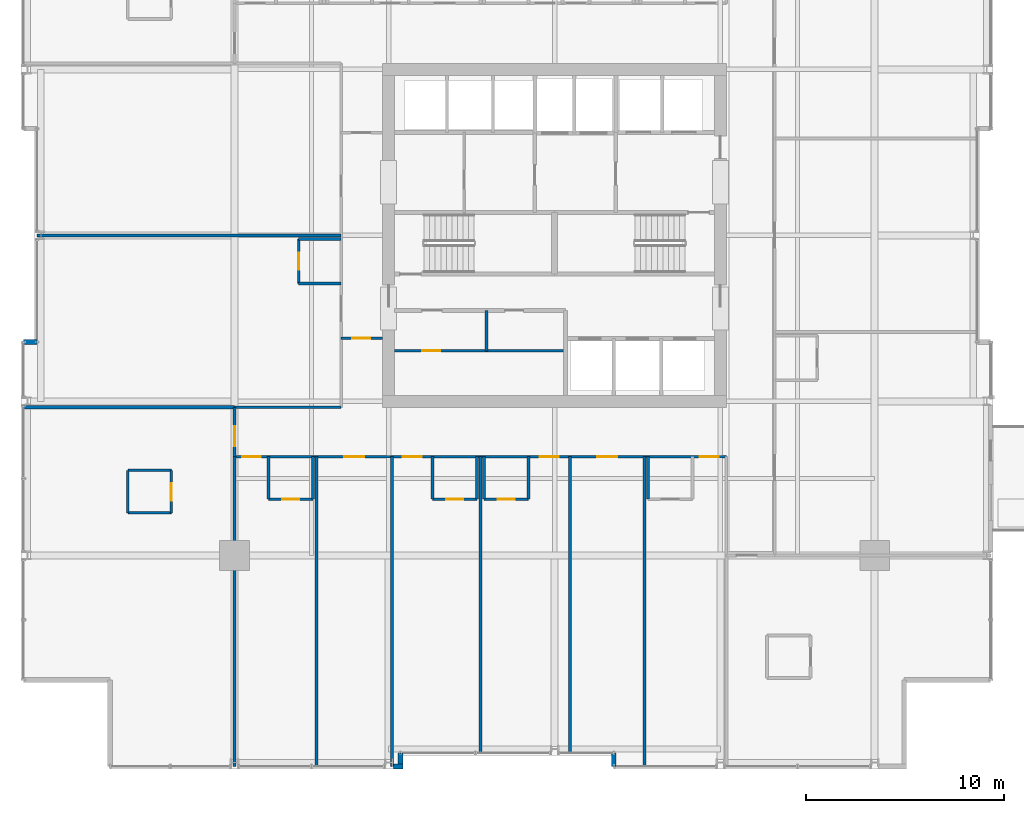
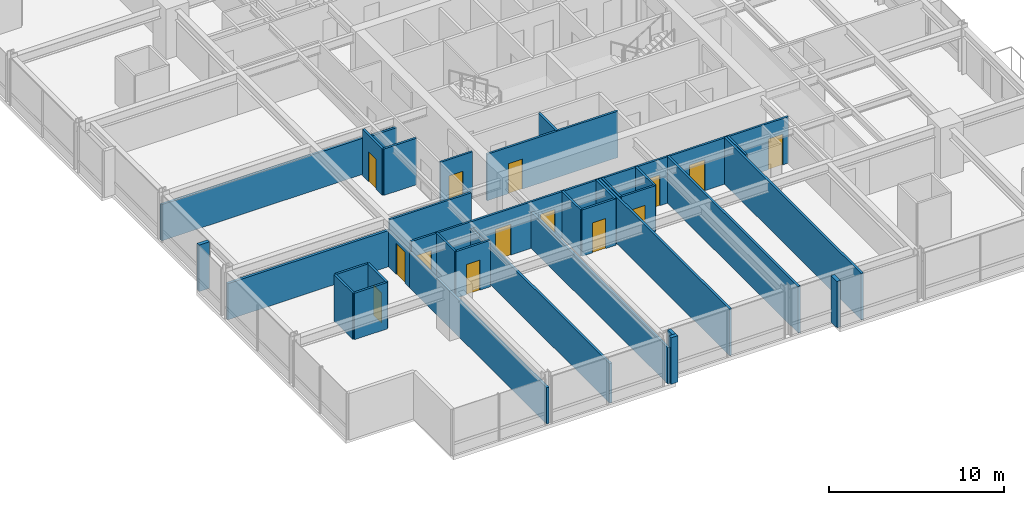
# One storey, part 28 of 34: 35 walls, 14 doors, 14 openings.
"""IFC4 building model written with IfcOpenShell, lengths in metres."""

import ifcopenshell
import ifcopenshell.guid

model = None  # the IFC model being written
_history = None  # IfcOwnerHistory: only IFC2X3 demands one
_inside = {}  # id of a spatial element -> (the spatial element, [elements in it])
_under = {}  # id of a project, library or spatial element -> (it, [spatial elements below it])
_declared = {}  # id of a project -> (the project, [libraries it declares])
_typed = {}  # id of a type object -> (the type object, [elements of that type])
_made_of = {}  # id of a material, layer set ... -> (it, [elements and type objects made of it])


def new_model(schema):
    """Start an empty IFC model of exactly this schema.

    Asked for "IFC4X3", IfcOpenShell would pick the latest addendum, in which some entities
    have other attributes; the version numbers below select the first issue.
    IFC2X3 requires an IfcOwnerHistory on every rooted entity: one is made here for all.
    """
    global model, _history
    if schema == "IFC4X3":
        model = ifcopenshell.file(schema_version=(4, 3, 0, 0))
    else:
        model = ifcopenshell.file(schema=schema)
    _inside.clear()
    _under.clear()
    _declared.clear()
    _typed.clear()
    _made_of.clear()
    _history = None
    if model.schema == "IFC2X3":
        org = make("IfcOrganization", Name="unknown")
        user = make(
            "IfcPersonAndOrganization",
            ThePerson=make("IfcPerson", FamilyName="unknown"),
            TheOrganization=org,
        )
        app = make(
            "IfcApplication",
            ApplicationDeveloper=org,
            Version="unknown",
            ApplicationFullName="unknown",
            ApplicationIdentifier="unknown",
        )
        _history = make(
            "IfcOwnerHistory",
            OwningUser=user,
            OwningApplication=app,
            ChangeAction="ADDED",
            CreationDate=0,
        )
    return model


def make(cls, **values):
    """One entity of the class cls with the attributes given. An attribute that is None is left unset."""
    return model.create_entity(
        cls, **{name: value for name, value in values.items() if value is not None}
    )


def rooted(cls, **values):
    """An entity with a GlobalId (a new one), such as an element, a storey or a relation."""
    return make(cls, GlobalId=ifcopenshell.guid.new(), OwnerHistory=_history, **values)


def si_unit(unit_type, name, prefix=None):
    """IfcSIUnit, for example si_unit("LENGTHUNIT", "METRE", prefix="MILLI")."""
    return make("IfcSIUnit", UnitType=unit_type, Prefix=prefix, Name=name)


def assignment(units):
    """IfcUnitAssignment: the units of a project."""
    return None if units is None else make("IfcUnitAssignment", Units=units)


def point(xyz):
    """IfcCartesianPoint."""
    return None if xyz is None else make("IfcCartesianPoint", Coordinates=xyz)


def direction(xyz):
    """IfcDirection."""
    return None if xyz is None else make("IfcDirection", DirectionRatios=xyz)


def frame(location, z_axis=None, x_axis=None):
    """IfcAxis2Placement3D, a coordinate frame: its origin and axes. An axis left out is left unset."""
    return make(
        "IfcAxis2Placement3D",
        Location=point(location),
        Axis=direction(z_axis),
        RefDirection=direction(x_axis),
    )


def frame_2d(location, x_axis=None):
    """IfcAxis2Placement2D, a coordinate frame in the plane: its origin and x axis."""
    return make(
        "IfcAxis2Placement2D", Location=point(location), RefDirection=direction(x_axis)
    )


def origin():
    """The frame at (0, 0, 0) with its axes left unset."""
    return frame((0.0, 0.0, 0.0))


def place(relative_to, where):
    """IfcLocalPlacement: puts the frame where relative to a parent placement (None: the world)."""
    return make(
        "IfcLocalPlacement", PlacementRelTo=relative_to, RelativePlacement=where
    )


def context(
    kind, dimensions, precision=None, world=None, true_north=None, identifier=None
):
    """IfcGeometricRepresentationContext, for example the 3D "Model" context."""
    return make(
        "IfcGeometricRepresentationContext",
        ContextIdentifier=identifier,
        ContextType=kind,
        CoordinateSpaceDimension=dimensions,
        Precision=precision,
        WorldCoordinateSystem=world,
        TrueNorth=true_north,
    )


def subcontext(parent, identifier, kind, view, scale=None):
    """IfcGeometricRepresentationSubContext, for example "Body" below "Model"."""
    return make(
        "IfcGeometricRepresentationSubContext",
        ContextIdentifier=identifier,
        ContextType=kind,
        ParentContext=parent,
        TargetScale=scale,
        TargetView=view,
    )


def project(units=None, contexts=None):
    """IfcProject with its units and contexts."""
    return rooted(
        "IfcProject",
        Name="project",
        RepresentationContexts=contexts,
        UnitsInContext=assignment(units),
    )


def spatial(cls, under=None, at=None, **own):
    """A site, building, storey or space (cls), placed at a placement, below another one or the project."""
    s = rooted(cls, ObjectPlacement=at, **own)
    if under is not None:
        _under.setdefault(under.id(), (under, []))[1].append(s)
    return s


def profile(cls, at=None, kind="AREA", **sizes):
    """A parametric profile (cls). Its sizes go by their IFC names, for example OverallWidth=200.0."""
    return make(cls, ProfileType=kind, Position=at, **sizes)


def rectangle(**sizes):
    """IfcRectangleProfileDef."""
    return profile("IfcRectangleProfileDef", **sizes)


def extrude(swept, where, along, depth):
    """IfcExtrudedAreaSolid: the profile swept, set in the frame where, extruded along a direction by depth."""
    return make(
        "IfcExtrudedAreaSolid",
        SweptArea=swept,
        Position=where,
        ExtrudedDirection=direction(along),
        Depth=depth,
    )


def shape(context_of_items, identifier, shape_type, items):
    """IfcShapeRepresentation: the items that make up one representation, for example the "Body"."""
    return make(
        "IfcShapeRepresentation",
        ContextOfItems=context_of_items,
        RepresentationIdentifier=identifier,
        RepresentationType=shape_type,
        Items=items,
    )


def material(Name=None, Category=None):
    """IfcMaterial."""
    return make("IfcMaterial", Name=Name, Category=Category)


def layer(
    of_material, thickness, ventilated=None, Name=None, Category=None, Priority=None
):
    """IfcMaterialLayer: one layer of a wall or slab, of a material (None: an air gap)."""
    return make(
        "IfcMaterialLayer",
        Material=of_material,
        LayerThickness=thickness,
        IsVentilated=ventilated,
        Name=Name,
        Category=Category,
        Priority=Priority,
    )


def layer_set(layers, Name=None):
    """IfcMaterialLayerSet."""
    return make("IfcMaterialLayerSet", MaterialLayers=layers, LayerSetName=Name)


def made_of(thing, what):
    """Note that an element or type object is made of a material, layer set ...; save() writes the relation."""
    if what is not None:
        _made_of.setdefault(what.id(), (what, []))[1].append(thing)
    return thing


def type_object(cls, material=None, **own):
    """A type object (cls), such as IfcWallType, which elements share."""
    return made_of(rooted(cls, **own), material)


def element(
    cls,
    number,
    at=None,
    inside=None,
    cuts=None,
    type_object=None,
    material=None,
    context=None,
    identifier="Body",
    shape_type=None,
    held_by="IfcProductDefinitionShape",
    body=None,
    shapes=None,
    **own,
):
    """One element of the class cls, such as IfcWall. Its Tag is "e" and its number.

    at: its placement. inside: the storey or other place that contains it. cuts: it is an
    opening in that element (IfcRelVoidsElement). A single representation is given by context,
    identifier, shape_type and body (its items); several are given by shapes. held_by: the class
    of the entity that holds the representations. save() writes the other relations.
    """
    e = rooted(cls, Tag="e%d" % number, ObjectPlacement=at, **own)
    if body is not None:
        shapes = [shape(context, identifier, shape_type, body)]
    if shapes is not None:
        e.Representation = make(held_by, Representations=shapes)
    if inside is not None:
        _inside.setdefault(inside.id(), (inside, []))[1].append(e)
    if cuts is not None:
        rooted(
            "IfcRelVoidsElement", RelatingBuildingElement=cuts, RelatedOpeningElement=e
        )
    if type_object is not None:
        _typed.setdefault(type_object.id(), (type_object, []))[1].append(e)
    return made_of(e, material)


def fill(opening, filler):
    """IfcRelFillsElement: the door or window that sits in an opening."""
    return rooted(
        "IfcRelFillsElement",
        RelatingOpeningElement=opening,
        RelatedBuildingElement=filler,
    )


def aggregate(whole, parts):
    """IfcRelAggregates: a whole, such as a stair, and the parts it consists of."""
    return rooted("IfcRelAggregates", RelatingObject=whole, RelatedObjects=parts)


def save(model, path):
    """Write the relations noted so far, then the file.

    IfcRelAggregates (storeys below a building ...), IfcRelContainedInSpatialStructure (elements
    in a storey), IfcRelDefinesByType, IfcRelAssociatesMaterial and IfcRelDeclares: one each for
    every whole, place, type object, material and project.
    """
    for whole, parts in _under.values():
        aggregate(whole, parts)
    for where, things in _inside.values():
        rooted(
            "IfcRelContainedInSpatialStructure",
            RelatedElements=things,
            RelatingStructure=where,
        )
    for kind, things in _typed.values():
        rooted("IfcRelDefinesByType", RelatedObjects=things, RelatingType=kind)
    for what, things in _made_of.values():
        rooted("IfcRelAssociatesMaterial", RelatedObjects=things, RelatingMaterial=what)
    for by, libraries in _declared.values():
        rooted("IfcRelDeclares", RelatingContext=by, RelatedDefinitions=libraries)
    model.write(path)


model = new_model("IFC4")

# Units and contexts
model_context = context("Model", 3, precision=1e-05, world=origin(), true_north=direction((0.0, 1.0)))
body_context = subcontext(model_context, "Body", "Model", "MODEL_VIEW")
ifc_project = project(units=[si_unit("LENGTHUNIT", "METRE"), si_unit("AREAUNIT", "SQUARE_METRE"), si_unit("VOLUMEUNIT", "CUBIC_METRE"), si_unit("PLANEANGLEUNIT", "RADIAN"), si_unit("MASSUNIT", "GRAM", prefix="KILO")], contexts=[model_context])

# Site, building, storey
site_placement = place(None, origin())
site = spatial("IfcSite", under=ifc_project, at=site_placement, CompositionType="ELEMENT")
building_placement = place(site_placement, origin())
building = spatial("IfcBuilding", under=site, at=building_placement, Name="Drelvath Grand Hotel", CompositionType="ELEMENT")
storey_placement = place(building_placement, frame((0.0, 0.0, 133.800048828125)))
storey = spatial("IfcBuildingStorey", under=building, at=storey_placement, Name="L34", CompositionType="ELEMENT", Elevation=133.800048828125)

# Wall, opening, door
ifc_material_1 = material(Name="Gypsum Fireboard Partition")
ifc_layer_1 = layer(ifc_material_1, 0.135009765625)
ifc_layer_set_1 = layer_set([ifc_layer_1], Name="Gypsum Fireboard Partition")
wall_type_1 = type_object("IfcWallType", Name="Corridor Fire Barrier Wall 135", PredefinedType="PARTITIONING", material=ifc_layer_set_1)
wall_1_placement = place(storey_placement, frame((-10.800048828125, 21.800048828125, 0.0), z_axis=(0.0, 0.0, 1.0), x_axis=(1.0, 0.0, 0.0)))
wall_1 = element("IfcWall", 1, at=wall_1_placement, inside=storey, type_object=wall_type_1, Name="L34 West Foyer South Wall", PredefinedType="PARTITIONING", context=body_context, shape_type="SweptSolid", body=[
    extrude(rectangle(XDim=2.10009765625, YDim=0.135009765625, at=frame_2d((1.050048828125, 0.0))), origin(), (0.0, 0.0, 1.0), 3.239990234375),
])
opening_1_placement = place(wall_1_placement, frame((0.550048828125, 0.0, 0.0)))
opening_1 = element("IfcOpeningElement", 2, at=opening_1_placement, cuts=wall_1, Name="Opening D-T2G5-019", PredefinedType="OPENING", context=body_context, shape_type="SweptSolid", body=[
    extrude(rectangle(XDim=0.919921875, YDim=2.10009765625, at=frame_2d((0.4599609375, 1.050048828125))), frame((0.0, 0.077392578125, 0.0), z_axis=(0.0, -1.0, 0.0), x_axis=(1.0, 0.0, 0.0)), (0.0, 0.0, 1.0), 0.155029296875),
])
ifc_material_2 = material(Name="Painted Steel S275", Category="steel")
door_type_1 = type_object("IfcDoorType", Name="Staff Utility Door 920x2100", OperationType="NOTDEFINED", PredefinedType="DOOR", material=ifc_material_2)
door_1_placement = place(opening_1_placement, origin())
door_1 = element("IfcDoor", 3, at=door_1_placement, inside=storey, type_object=door_type_1, Name="L34 West Linen Closet Door", OperationType="SINGLE_SWING_RIGHT", OverallHeight=2.10009765625, OverallWidth=0.919921875, PredefinedType="DOOR", context=body_context, shape_type="SweptSolid", body=[
    extrude(rectangle(XDim=0.919921875, YDim=2.10009765625, at=frame_2d((0.4599609375, 1.050048828125))), frame((0.0, 0.02490234375, 0.0), z_axis=(0.0, -1.0, 0.0), x_axis=(1.0, 0.0, 0.0)), (0.0, 0.0, 1.0), 0.050048828125),
])
fill(opening_1, door_1)

# Wall
wall_2_placement = place(storey_placement, frame((-16.199951171875, 18.300048828125, 0.0), z_axis=(0.0, 0.0, 1.0), x_axis=(1.0, 0.0, 0.0)))
element("IfcWall", 4, at=wall_2_placement, inside=storey, type_object=wall_type_1, Name="L34 SW Stub North Wall", PredefinedType="PARTITIONING", context=body_context, shape_type="SweptSolid", body=[
    extrude(rectangle(XDim=5.39990234375, YDim=0.135009765625, at=frame_2d((2.699951171875, 0.0))), origin(), (0.0, 0.0, 1.0), 3.239990234375),
])

# Wall, openings, doors
wall_3_placement = place(storey_placement, frame((-16.199951171875, 15.800048828125, 0.0), z_axis=(0.0, 0.0, 1.0), x_axis=(1.0, 0.0, 0.0)))
wall_3 = element("IfcWall", 5, at=wall_3_placement, inside=storey, type_object=wall_type_1, Name="L34 South Stub Corridor Wall", PredefinedType="PARTITIONING", context=body_context, shape_type="SweptSolid", body=[
    extrude(rectangle(XDim=24.89990234375, YDim=0.135009765625, at=frame_2d((12.449951171875, 0.0))), origin(), (0.0, 0.0, 1.0), 3.239990234375),
])
opening_2_placement = place(wall_3_placement, frame((0.3798828125, 0.0, 0.0)))
opening_2 = element("IfcOpeningElement", 6, at=opening_2_placement, cuts=wall_3, Name="Opening D-T2G5-030", PredefinedType="OPENING", context=body_context, shape_type="SweptSolid", body=[
    extrude(rectangle(XDim=0.9599609375, YDim=2.14990234375, at=frame_2d((0.47998046875, 1.074951171875))), frame((0.0, 0.077392578125, 0.0), z_axis=(0.0, -1.0, 0.0), x_axis=(1.0, 0.0, 0.0)), (0.0, 0.0, 1.0), 0.155029296875),
])
opening_3_placement = place(wall_3_placement, frame((5.554931640625, 0.0, 0.0)))
opening_3 = element("IfcOpeningElement", 7, at=opening_3_placement, cuts=wall_3, Name="Opening D-T2G5-031", PredefinedType="OPENING", context=body_context, shape_type="SweptSolid", body=[
    extrude(rectangle(XDim=1.02001953125, YDim=2.14990234375, at=frame_2d((0.510009765625, 1.074951171875))), frame((0.0, 0.077392578125, 0.0), z_axis=(0.0, -1.0, 0.0), x_axis=(1.0, 0.0, 0.0)), (0.0, 0.0, 1.0), 0.155029296875),
])
opening_4_placement = place(wall_3_placement, frame((8.52001953125, 0.0, 0.0)))
opening_4 = element("IfcOpeningElement", 8, at=opening_4_placement, cuts=wall_3, Name="Opening D-T2G5-033", PredefinedType="OPENING", context=body_context, shape_type="SweptSolid", body=[
    extrude(rectangle(XDim=0.9599609375, YDim=2.14990234375, at=frame_2d((0.47998046875, 1.074951171875))), frame((0.0, 0.077392578125, 0.0), z_axis=(0.0, -1.0, 0.0), x_axis=(1.0, 0.0, 0.0)), (0.0, 0.0, 1.0), 0.155029296875),
])
opening_5_placement = place(wall_3_placement, frame((15.448486328125, 0.0, 0.0)))
opening_5 = element("IfcOpeningElement", 9, at=opening_5_placement, cuts=wall_3, Name="Opening D-T2G5-035", PredefinedType="OPENING", context=body_context, shape_type="SweptSolid", body=[
    extrude(rectangle(XDim=0.9599609375, YDim=2.14990234375, at=frame_2d((0.47998046875, 1.074951171875))), frame((0.0, 0.077392578125, 0.0), z_axis=(0.0, -1.0, 0.0), x_axis=(1.0, 0.0, 0.0)), (0.0, 0.0, 1.0), 0.155029296875),
])
opening_6_placement = place(wall_3_placement, frame((18.353759765625, 0.0, 0.0)))
opening_6 = element("IfcOpeningElement", 10, at=opening_6_placement, cuts=wall_3, Name="Opening D-T2G5-036", PredefinedType="OPENING", context=body_context, shape_type="SweptSolid", body=[
    extrude(rectangle(XDim=1.02001953125, YDim=2.14990234375, at=frame_2d((0.510009765625, 1.074951171875))), frame((0.0, 0.077392578125, 0.0), z_axis=(0.0, -1.0, 0.0), x_axis=(1.0, 0.0, 0.0)), (0.0, 0.0, 1.0), 0.155029296875),
])
opening_7_placement = place(wall_3_placement, frame((23.56005859375, 0.0, 0.0)))
opening_7 = element("IfcOpeningElement", 11, at=opening_7_placement, cuts=wall_3, Name="Opening D-T2G5-038", PredefinedType="OPENING", context=body_context, shape_type="SweptSolid", body=[
    extrude(rectangle(XDim=0.9599609375, YDim=2.14990234375, at=frame_2d((0.47998046875, 1.074951171875))), frame((0.0, 0.077392578125, 0.0), z_axis=(0.0, -1.0, 0.0), x_axis=(1.0, 0.0, 0.0)), (0.0, 0.0, 1.0), 0.155029296875),
])
ifc_material_3 = material(Name="Hardwood Walnut Timber", Category="wood")
door_type_2 = type_object("IfcDoorType", Name="Amenity Meeting Fire Door 1020x2150", OperationType="NOTDEFINED", PredefinedType="DOOR", material=ifc_material_3)
door_2_placement = place(opening_3_placement, origin())
door_2 = element("IfcDoor", 12, at=door_2_placement, inside=storey, type_object=door_type_2, Name="L34 Diplomatic Briefing Room Entry Door", OperationType="SINGLE_SWING_RIGHT", OverallHeight=2.14990234375, OverallWidth=1.02001953125, PredefinedType="DOOR", context=body_context, shape_type="SweptSolid", body=[
    extrude(rectangle(XDim=1.02001953125, YDim=2.14990234375, at=frame_2d((0.510009765625, 1.074951171875))), frame((0.0, 0.02490234375, 0.0), z_axis=(0.0, -1.0, 0.0), x_axis=(1.0, 0.0, 0.0)), (0.0, 0.0, 1.0), 0.050048828125),
])
fill(opening_3, door_2)
door_3_placement = place(opening_6_placement, origin())
door_3 = element("IfcDoor", 13, at=door_3_placement, inside=storey, type_object=door_type_2, Name="L34 Seminar Meeting Room Entry Door", OperationType="SINGLE_SWING_LEFT", OverallHeight=2.14990234375, OverallWidth=1.02001953125, PredefinedType="DOOR", context=body_context, shape_type="SweptSolid", body=[
    extrude(rectangle(XDim=1.02001953125, YDim=2.14990234375, at=frame_2d((0.510009765625, 1.074951171875))), frame((0.0, 0.02490234375, 0.0), z_axis=(0.0, -1.0, 0.0), x_axis=(1.0, 0.0, 0.0)), (0.0, 0.0, 1.0), 0.050048828125),
])
fill(opening_6, door_3)
door_type_3 = type_object("IfcDoorType", Name="Guestroom Entrance Fire Door 960x2150", OperationType="NOTDEFINED", PredefinedType="DOOR", material=ifc_material_3)
door_4_placement = place(opening_2_placement, origin())
door_4 = element("IfcDoor", 14, at=door_4_placement, inside=storey, type_object=door_type_3, Name="L34 Deluxe Guest Room Entry Door", OperationType="SINGLE_SWING_LEFT", OverallHeight=2.14990234375, OverallWidth=0.9599609375, PredefinedType="DOOR", context=body_context, shape_type="SweptSolid", body=[
    extrude(rectangle(XDim=0.9599609375, YDim=2.14990234375, at=frame_2d((0.47998046875, 1.074951171875))), frame((0.0, 0.02490234375, 0.0), z_axis=(0.0, -1.0, 0.0), x_axis=(1.0, 0.0, 0.0)), (0.0, 0.0, 1.0), 0.050048828125),
])
fill(opening_2, door_4)
door_5_placement = place(opening_4_placement, origin())
door_5 = element("IfcDoor", 15, at=door_5_placement, inside=storey, type_object=door_type_3, Name="L34 Deluxe Guest Room Entry Door", OperationType="SINGLE_SWING_RIGHT", OverallHeight=2.14990234375, OverallWidth=0.9599609375, PredefinedType="DOOR", context=body_context, shape_type="SweptSolid", body=[
    extrude(rectangle(XDim=0.9599609375, YDim=2.14990234375, at=frame_2d((0.47998046875, 1.074951171875))), frame((0.0, 0.02490234375, 0.0), z_axis=(0.0, -1.0, 0.0), x_axis=(1.0, 0.0, 0.0)), (0.0, 0.0, 1.0), 0.050048828125),
])
fill(opening_4, door_5)
door_6_placement = place(opening_5_placement, origin())
door_6 = element("IfcDoor", 16, at=door_6_placement, inside=storey, type_object=door_type_3, Name="L34 Deluxe Guest Room Entry Door", OperationType="SINGLE_SWING_RIGHT", OverallHeight=2.14990234375, OverallWidth=0.9599609375, PredefinedType="DOOR", context=body_context, shape_type="SweptSolid", body=[
    extrude(rectangle(XDim=0.9599609375, YDim=2.14990234375, at=frame_2d((0.47998046875, 1.074951171875))), frame((0.0, 0.02490234375, 0.0), z_axis=(0.0, -1.0, 0.0), x_axis=(1.0, 0.0, 0.0)), (0.0, 0.0, 1.0), 0.050048828125),
])
fill(opening_5, door_6)
door_7_placement = place(opening_7_placement, origin())
door_7 = element("IfcDoor", 17, at=door_7_placement, inside=storey, type_object=door_type_3, Name="L34 Deluxe Guest Room Entry Door", OperationType="SINGLE_SWING_LEFT", OverallHeight=2.14990234375, OverallWidth=0.9599609375, PredefinedType="DOOR", context=body_context, shape_type="SweptSolid", body=[
    extrude(rectangle(XDim=0.9599609375, YDim=2.14990234375, at=frame_2d((0.47998046875, 1.074951171875))), frame((0.0, 0.02490234375, 0.0), z_axis=(0.0, -1.0, 0.0), x_axis=(1.0, 0.0, 0.0)), (0.0, 0.0, 1.0), 0.050048828125),
])
fill(opening_7, door_7)

# Wall, opening, door
wall_4_placement = place(storey_placement, frame((-16.199951171875, 15.800048828125, 0.0), z_axis=(0.0, 0.0, 1.0), x_axis=(0.0, 1.0, 0.0)))
wall_4 = element("IfcWall", 18, at=wall_4_placement, inside=storey, type_object=wall_type_1, Name="L34 South Stub West End", PredefinedType="PARTITIONING", context=body_context, shape_type="SweptSolid", body=[
    extrude(rectangle(XDim=2.5, YDim=0.135009765625, at=frame_2d((1.25, 0.0))), origin(), (0.0, 0.0, 1.0), 2.529541015625),
])
opening_8_placement = place(wall_4_placement, frame((0.52001953125, 0.0, 0.0)))
opening_8 = element("IfcOpeningElement", 19, at=opening_8_placement, cuts=wall_4, Name="Opening D-T2G5-022", PredefinedType="OPENING", context=body_context, shape_type="SweptSolid", body=[
    extrude(rectangle(XDim=1.02001953125, YDim=2.14990234375, at=frame_2d((0.510009765625, 1.074951171875))), frame((0.0, 0.077392578125, 0.0), z_axis=(0.0, -1.0, 0.0), x_axis=(1.0, 0.0, 0.0)), (0.0, 0.0, 1.0), 0.155029296875),
])
door_8_placement = place(opening_8_placement, origin())
door_8 = element("IfcDoor", 20, at=door_8_placement, inside=storey, type_object=door_type_2, Name="L34 Corner Suite Entry Door", OperationType="SINGLE_SWING_LEFT", OverallHeight=2.14990234375, OverallWidth=1.02001953125, PredefinedType="DOOR", context=body_context, shape_type="SweptSolid", body=[
    extrude(rectangle(XDim=1.02001953125, YDim=2.14990234375, at=frame_2d((0.510009765625, 1.074951171875))), frame((0.0, 0.02490234375, 0.0), z_axis=(0.0, -1.0, 0.0), x_axis=(1.0, 0.0, 0.0)), (0.0, 0.0, 1.0), 0.050048828125),
])
fill(opening_8, door_8)

ifc_material_4 = material(Name="Moisture-Resistant Gypsum Board")
ifc_layer_2 = layer(ifc_material_4, 0.139892578125)
ifc_layer_set_2 = layer_set([ifc_layer_2], Name="Moisture-Resistant Gypsum Board")
wall_type_2 = type_object("IfcWallType", Name="En-Suite Plumbing Wall 140", PredefinedType="PLUMBINGWALL", material=ifc_layer_set_2)
wall_5_placement = place(storey_placement, frame((-8.10009765625, 21.159912109375, 0.0), z_axis=(0.0, 0.0, 1.0), x_axis=(1.0, 0.0, 0.0)))
wall_5 = element("IfcWall", 21, at=wall_5_placement, inside=storey, type_object=wall_type_2, Name="L34 Reclaimed Horizontal Wall", PredefinedType="PLUMBINGWALL", context=body_context, shape_type="SweptSolid", body=[
    extrude(rectangle(XDim=8.650146484375, YDim=0.139892578125, at=frame_2d((4.3251953125, 0.0))), origin(), (0.0, 0.0, 1.0), 3.239990234375),
])
opening_9_placement = place(wall_5_placement, frame((1.39990234375, 0.0, 0.0)))
opening_9 = element("IfcOpeningElement", 22, at=opening_9_placement, cuts=wall_5, Name="Opening D-T2G5-018", PredefinedType="OPENING", context=body_context, shape_type="SweptSolid", body=[
    extrude(rectangle(XDim=0.919921875, YDim=2.10009765625, at=frame_2d((0.4599609375, 1.050048828125))), frame((0.0, 0.079833984375, 0.0), z_axis=(0.0, -1.0, 0.0), x_axis=(1.0, 0.0, 0.0)), (0.0, 0.0, 1.0), 0.159912109375),
])
door_9_placement = place(opening_9_placement, origin())
door_9 = element("IfcDoor", 23, at=door_9_placement, inside=storey, type_object=door_type_1, Name="L34 Housekeeping Inner Door", OperationType="SINGLE_SWING_LEFT", OverallHeight=2.10009765625, OverallWidth=0.919921875, PredefinedType="DOOR", context=body_context, shape_type="SweptSolid", body=[
    extrude(rectangle(XDim=0.919921875, YDim=2.10009765625, at=frame_2d((0.4599609375, 1.050048828125))), frame((0.0, 0.02490234375, 0.0), z_axis=(0.0, -1.0, 0.0), x_axis=(1.0, 0.0, 0.0)), (0.0, 0.0, 1.0), 0.050048828125),
])
fill(opening_9, door_9)

# Walls
wall_6_placement = place(storey_placement, frame((-3.43994140625, 21.159912109375, 0.0), z_axis=(0.0, 0.0, 1.0), x_axis=(0.0, 1.0, 0.0)))
element("IfcWall", 24, at=wall_6_placement, inside=storey, type_object=wall_type_2, Name="L34 Staff WC Wall", PredefinedType="PLUMBINGWALL", context=body_context, shape_type="SweptSolid", body=[
    extrude(rectangle(XDim=2.0400390625, YDim=0.139892578125, at=frame_2d((1.02001953125, 0.0))), origin(), (0.0, 0.0, 1.0), 3.239990234375),
])
for number, where, z_axis, x_axis, name in (
    (25, (-21.60009765625, 12.9599609375, 0.0), (0.0, 0.0, 1.0), (1.0, 0.0, 0.0), "L34 Corner En-Suite South"),
    (26, (-21.60009765625, 15.110107421875, 0.0), (0.0, 0.0, 1.0), (1.0, 0.0, 0.0), "L34 Corner En-Suite North"),
):
    element("IfcWall", number, at=place(storey_placement, frame(where, z_axis=z_axis, x_axis=x_axis)), inside=storey, type_object=wall_type_2, Name=name, PredefinedType="PLUMBINGWALL", context=body_context, shape_type="SweptSolid", body=[
        extrude(rectangle(XDim=2.2001953125, YDim=0.139892578125, at=frame_2d((1.10009765625, 0.0))), origin(), (0.0, 0.0, 1.0), 3.239990234375),
    ])
wall_7_placement = place(storey_placement, frame((-21.60009765625, 12.9599609375, 0.0), z_axis=(0.0, 0.0, 1.0), x_axis=(0.0, 1.0, 0.0)))
element("IfcWall", 27, at=wall_7_placement, inside=storey, type_object=wall_type_2, Name="L34 Corner En-Suite West", PredefinedType="PLUMBINGWALL", context=body_context, shape_type="SweptSolid", body=[
    extrude(rectangle(XDim=2.150146484375, YDim=0.139892578125, at=frame_2d((1.0751953125, 0.0))), origin(), (0.0, 0.0, 1.0), 3.239990234375),
])

# Wall, opening, door
wall_8_placement = place(storey_placement, frame((-19.39990234375, 12.9599609375, 0.0), z_axis=(0.0, 0.0, 1.0), x_axis=(0.0, 1.0, 0.0)))
wall_8 = element("IfcWall", 28, at=wall_8_placement, inside=storey, type_object=wall_type_2, Name="L34 Corner En-Suite East", PredefinedType="PLUMBINGWALL", context=body_context, shape_type="SweptSolid", body=[
    extrude(rectangle(XDim=2.150146484375, YDim=0.139892578125, at=frame_2d((1.0751953125, 0.0))), origin(), (0.0, 0.0, 1.0), 3.239990234375),
])
opening_10_placement = place(wall_8_placement, frame((0.6201171875, 0.0, 0.0)))
opening_10 = element("IfcOpeningElement", 29, at=opening_10_placement, cuts=wall_8, Name="Opening D-T2G5-021", PredefinedType="OPENING", context=body_context, shape_type="SweptSolid", body=[
    extrude(rectangle(XDim=0.8798828125, YDim=2.10009765625, at=frame_2d((0.43994140625, 1.050048828125))), frame((0.0, 0.079833984375, 0.0), z_axis=(0.0, -1.0, 0.0), x_axis=(1.0, 0.0, 0.0)), (0.0, 0.0, 1.0), 0.159912109375),
])
door_type_4 = type_object("IfcDoorType", Name="En-Suite Bathroom Door 880x2100", OperationType="NOTDEFINED", PredefinedType="DOOR", material=ifc_material_3)
door_10_placement = place(opening_10_placement, origin())
door_10 = element("IfcDoor", 30, at=door_10_placement, inside=storey, type_object=door_type_4, Name="L34 Corner En-Suite Door", OperationType="SINGLE_SWING_RIGHT", OverallHeight=2.10009765625, OverallWidth=0.8798828125, PredefinedType="DOOR", context=body_context, shape_type="SweptSolid", body=[
    extrude(rectangle(XDim=0.8798828125, YDim=2.10009765625, at=frame_2d((0.43994140625, 1.050048828125))), frame((0.0, 0.02490234375, 0.0), z_axis=(0.0, -1.0, 0.0), x_axis=(1.0, 0.0, 0.0)), (0.0, 0.0, 1.0), 0.050048828125),
])
fill(opening_10, door_10)

# Walls
wall_9_placement = place(storey_placement, frame((-14.47998046875, 15.800048828125, 0.0), z_axis=(0.0, 0.0, 1.0), x_axis=(0.0, -1.0, 0.0)))
element("IfcWall", 31, at=wall_9_placement, inside=storey, type_object=wall_type_2, Name="L34 En-Suite Left Wall", PredefinedType="PLUMBINGWALL", context=body_context, shape_type="SweptSolid", body=[
    extrude(rectangle(XDim=2.150146484375, YDim=0.139892578125, at=frame_2d((1.0751953125, 0.0))), origin(), (0.0, 0.0, 1.0), 3.239990234375),
])
wall_10_placement = place(storey_placement, frame((-12.22998046875, 15.800048828125, 0.0), z_axis=(0.0, 0.0, 1.0), x_axis=(0.0, -1.0, 0.0)))
element("IfcWall", 32, at=wall_10_placement, inside=storey, type_object=wall_type_2, Name="L34 En-Suite Right Wall", PredefinedType="PLUMBINGWALL", context=body_context, shape_type="SweptSolid", body=[
    extrude(rectangle(XDim=2.150146484375, YDim=0.139892578125, at=frame_2d((1.0751953125, 0.0))), origin(), (0.0, 0.0, 1.0), 2.764892578125),
])

# Wall, opening, door
wall_11_placement = place(storey_placement, frame((-14.47998046875, 13.64990234375, 0.0), z_axis=(0.0, 0.0, 1.0), x_axis=(1.0, 0.0, 0.0)))
wall_11 = element("IfcWall", 33, at=wall_11_placement, inside=storey, type_object=wall_type_2, Name="L34 En-Suite Front Wall", PredefinedType="PLUMBINGWALL", context=body_context, shape_type="SweptSolid", body=[
    extrude(rectangle(XDim=2.25, YDim=0.139892578125, at=frame_2d((1.125, 0.0))), origin(), (0.0, 0.0, 1.0), 3.239990234375),
])
opening_11_placement = place(wall_11_placement, frame((0.68505859375, 0.0, 0.0)))
opening_11 = element("IfcOpeningElement", 34, at=opening_11_placement, cuts=wall_11, Name="Opening D-T2G5-029", PredefinedType="OPENING", context=body_context, shape_type="SweptSolid", body=[
    extrude(rectangle(XDim=0.8798828125, YDim=2.10009765625, at=frame_2d((0.43994140625, 1.050048828125))), frame((0.0, 0.079833984375, 0.0), z_axis=(0.0, -1.0, 0.0), x_axis=(1.0, 0.0, 0.0)), (0.0, 0.0, 1.0), 0.159912109375),
])
door_11_placement = place(opening_11_placement, origin())
door_11 = element("IfcDoor", 35, at=door_11_placement, inside=storey, type_object=door_type_4, Name="L34 En-Suite Bathroom Door", OperationType="SINGLE_SWING_RIGHT", OverallHeight=2.10009765625, OverallWidth=0.8798828125, PredefinedType="DOOR", context=body_context, shape_type="SweptSolid", body=[
    extrude(rectangle(XDim=0.8798828125, YDim=2.10009765625, at=frame_2d((0.43994140625, 1.050048828125))), frame((0.0, 0.02490234375, 0.0), z_axis=(0.0, -1.0, 0.0), x_axis=(1.0, 0.0, 0.0)), (0.0, 0.0, 1.0), 0.050048828125),
])
fill(opening_11, door_11)

# Walls
for number, where, z_axis, x_axis, name in (
    (36, (-6.179931640625, 15.800048828125, 0.0), (0.0, 0.0, 1.0), (0.0, -1.0, 0.0), "L34 En-Suite Left Wall"),
    (37, (-3.929931640625, 15.800048828125, 0.0), (0.0, 0.0, 1.0), (0.0, -1.0, 0.0), "L34 En-Suite Right Wall"),
):
    element("IfcWall", number, at=place(storey_placement, frame(where, z_axis=z_axis, x_axis=x_axis)), inside=storey, type_object=wall_type_2, Name=name, PredefinedType="PLUMBINGWALL", context=body_context, shape_type="SweptSolid", body=[
        extrude(rectangle(XDim=2.150146484375, YDim=0.139892578125, at=frame_2d((1.0751953125, 0.0))), origin(), (0.0, 0.0, 1.0), 3.239990234375),
    ])

# Wall, opening, door
wall_12_placement = place(storey_placement, frame((-6.179931640625, 13.64990234375, 0.0), z_axis=(0.0, 0.0, 1.0), x_axis=(1.0, 0.0, 0.0)))
wall_12 = element("IfcWall", 38, at=wall_12_placement, inside=storey, type_object=wall_type_2, Name="L34 En-Suite Front Wall", PredefinedType="PLUMBINGWALL", context=body_context, shape_type="SweptSolid", body=[
    extrude(rectangle(XDim=2.25, YDim=0.139892578125, at=frame_2d((1.125, 0.0))), origin(), (0.0, 0.0, 1.0), 3.239990234375),
])
opening_12_placement = place(wall_12_placement, frame((0.68505859375, 0.0, 0.0)))
opening_12 = element("IfcOpeningElement", 39, at=opening_12_placement, cuts=wall_12, Name="Opening D-T2G5-032", PredefinedType="OPENING", context=body_context, shape_type="SweptSolid", body=[
    extrude(rectangle(XDim=0.8798828125, YDim=2.10009765625, at=frame_2d((0.43994140625, 1.050048828125))), frame((0.0, 0.079833984375, 0.0), z_axis=(0.0, -1.0, 0.0), x_axis=(1.0, 0.0, 0.0)), (0.0, 0.0, 1.0), 0.159912109375),
])
door_12_placement = place(opening_12_placement, origin())
door_12 = element("IfcDoor", 40, at=door_12_placement, inside=storey, type_object=door_type_4, Name="L34 En-Suite Bathroom Door", OperationType="SINGLE_SWING_LEFT", OverallHeight=2.10009765625, OverallWidth=0.8798828125, PredefinedType="DOOR", context=body_context, shape_type="SweptSolid", body=[
    extrude(rectangle(XDim=0.8798828125, YDim=2.10009765625, at=frame_2d((0.43994140625, 1.050048828125))), frame((0.0, 0.02490234375, 0.0), z_axis=(0.0, -1.0, 0.0), x_axis=(1.0, 0.0, 0.0)), (0.0, 0.0, 1.0), 0.050048828125),
])
fill(opening_12, door_12)

# Walls
for number, where, z_axis, x_axis, name in (
    (41, (-3.570068359375, 15.800048828125, 0.0), (0.0, 0.0, 1.0), (0.0, -1.0, 0.0), "L34 En-Suite Left Wall"),
    (42, (-1.320068359375, 15.800048828125, 0.0), (0.0, 0.0, 1.0), (0.0, -1.0, 0.0), "L34 En-Suite Right Wall"),
):
    element("IfcWall", number, at=place(storey_placement, frame(where, z_axis=z_axis, x_axis=x_axis)), inside=storey, type_object=wall_type_2, Name=name, PredefinedType="PLUMBINGWALL", context=body_context, shape_type="SweptSolid", body=[
        extrude(rectangle(XDim=2.150146484375, YDim=0.139892578125, at=frame_2d((1.0751953125, 0.0))), origin(), (0.0, 0.0, 1.0), 3.239990234375),
    ])

# Wall, opening, door
wall_13_placement = place(storey_placement, frame((-3.570068359375, 13.64990234375, 0.0), z_axis=(0.0, 0.0, 1.0), x_axis=(1.0, 0.0, 0.0)))
wall_13 = element("IfcWall", 43, at=wall_13_placement, inside=storey, type_object=wall_type_2, Name="L34 En-Suite Front Wall", PredefinedType="PLUMBINGWALL", context=body_context, shape_type="SweptSolid", body=[
    extrude(rectangle(XDim=2.25, YDim=0.139892578125, at=frame_2d((1.125, 0.0))), origin(), (0.0, 0.0, 1.0), 3.239990234375),
])
opening_13_placement = place(wall_13_placement, frame((0.68505859375, 0.0, 0.0)))
opening_13 = element("IfcOpeningElement", 44, at=opening_13_placement, cuts=wall_13, Name="Opening D-T2G5-034", PredefinedType="OPENING", context=body_context, shape_type="SweptSolid", body=[
    extrude(rectangle(XDim=0.8798828125, YDim=2.10009765625, at=frame_2d((0.43994140625, 1.050048828125))), frame((0.0, 0.079833984375, 0.0), z_axis=(0.0, -1.0, 0.0), x_axis=(1.0, 0.0, 0.0)), (0.0, 0.0, 1.0), 0.159912109375),
])
door_13_placement = place(opening_13_placement, origin())
door_13 = element("IfcDoor", 45, at=door_13_placement, inside=storey, type_object=door_type_4, Name="L34 En-Suite Bathroom Door", OperationType="SINGLE_SWING_LEFT", OverallHeight=2.10009765625, OverallWidth=0.8798828125, PredefinedType="DOOR", context=body_context, shape_type="SweptSolid", body=[
    extrude(rectangle(XDim=0.8798828125, YDim=2.10009765625, at=frame_2d((0.43994140625, 1.050048828125))), frame((0.0, 0.02490234375, 0.0), z_axis=(0.0, -1.0, 0.0), x_axis=(1.0, 0.0, 0.0)), (0.0, 0.0, 1.0), 0.050048828125),
])
fill(opening_13, door_13)

# Walls
wall_14_placement = place(storey_placement, frame((4.72998046875, 15.800048828125, 0.0), z_axis=(0.0, 0.0, 1.0), x_axis=(0.0, -1.0, 0.0)))
element("IfcWall", 46, at=wall_14_placement, inside=storey, type_object=wall_type_2, Name="L34 En-Suite Left Wall", PredefinedType="PLUMBINGWALL", context=body_context, shape_type="SweptSolid", body=[
    extrude(rectangle(XDim=2.150146484375, YDim=0.139892578125, at=frame_2d((1.0751953125, 0.0))), origin(), (0.0, 0.0, 1.0), 3.239990234375),
])
wall_15_placement = place(storey_placement, frame((-10.800048828125, 24.570068359375, 0.0), z_axis=(0.0, 0.0, 1.0), x_axis=(-1.0, 0.0, 0.0)))
element("IfcWall", 47, at=wall_15_placement, inside=storey, type_object=wall_type_2, Name="L34 En-Suite Left Wall", PredefinedType="PLUMBINGWALL", context=body_context, shape_type="SweptSolid", body=[
    extrude(rectangle(XDim=2.14990234375, YDim=0.139892578125, at=frame_2d((1.074951171875, 0.0))), origin(), (0.0, 0.0, 1.0), 3.239990234375),
])
wall_16_placement = place(storey_placement, frame((-10.800048828125, 26.820068359375, 0.0), z_axis=(0.0, 0.0, 1.0), x_axis=(-1.0, 0.0, 0.0)))
element("IfcWall", 48, at=wall_16_placement, inside=storey, type_object=wall_type_2, Name="L34 En-Suite Right Wall", PredefinedType="PLUMBINGWALL", context=body_context, shape_type="SweptSolid", body=[
    extrude(rectangle(XDim=2.14990234375, YDim=0.139892578125, at=frame_2d((1.074951171875, 0.0))), origin(), (0.0, 0.0, 1.0), 2.617431640625),
])

# Wall, opening, door
wall_17_placement = place(storey_placement, frame((-12.949951171875, 24.570068359375, 0.0), z_axis=(0.0, 0.0, 1.0), x_axis=(0.0, 1.0, 0.0)))
wall_17 = element("IfcWall", 49, at=wall_17_placement, inside=storey, type_object=wall_type_2, Name="L34 En-Suite Front Wall", PredefinedType="PLUMBINGWALL", context=body_context, shape_type="SweptSolid", body=[
    extrude(rectangle(XDim=2.25, YDim=0.139892578125, at=frame_2d((1.125, 0.0))), origin(), (0.0, 0.0, 1.0), 3.239990234375),
])
opening_14_placement = place(wall_17_placement, frame((0.68505859375, 0.0, 0.0)))
opening_14 = element("IfcOpeningElement", 50, at=opening_14_placement, cuts=wall_17, Name="Opening D-T2G5-055", PredefinedType="OPENING", context=body_context, shape_type="SweptSolid", body=[
    extrude(rectangle(XDim=0.8798828125, YDim=2.10009765625, at=frame_2d((0.43994140625, 1.050048828125))), frame((0.0, 0.079833984375, 0.0), z_axis=(0.0, -1.0, 0.0), x_axis=(1.0, 0.0, 0.0)), (0.0, 0.0, 1.0), 0.159912109375),
])
door_14_placement = place(opening_14_placement, origin())
door_14 = element("IfcDoor", 51, at=door_14_placement, inside=storey, type_object=door_type_4, Name="L34 En-Suite Bathroom Door", OperationType="SINGLE_SWING_RIGHT", OverallHeight=2.10009765625, OverallWidth=0.8798828125, PredefinedType="DOOR", context=body_context, shape_type="SweptSolid", body=[
    extrude(rectangle(XDim=0.8798828125, YDim=2.10009765625, at=frame_2d((0.43994140625, 1.050048828125))), frame((0.0, 0.02490234375, 0.0), z_axis=(0.0, -1.0, 0.0), x_axis=(1.0, 0.0, 0.0)), (0.0, 0.0, 1.0), 0.050048828125),
])
fill(opening_14, door_14)

# Walls
ifc_material_5 = material(Name="Gypsum Acoustic Partition")
ifc_layer_3 = layer(ifc_material_5, 0.14990234375)
ifc_layer_set_3 = layer_set([ifc_layer_3], Name="Gypsum Acoustic Partition")
wall_type_3 = type_object("IfcWallType", Name="Guestroom Demising Wall 150", PredefinedType="PARTITIONING", material=ifc_layer_set_3)
wall_18_placement = place(storey_placement, frame((-12.050048828125, 0.1201171875, 0.0), z_axis=(0.0, 0.0, 1.0), x_axis=(0.0, 1.0, 0.0)))
element("IfcWall", 52, at=wall_18_placement, inside=storey, type_object=wall_type_3, Name="L34 South Demising 1", PredefinedType="PARTITIONING", context=body_context, shape_type="SweptSolid", body=[
    extrude(rectangle(XDim=15.679931640625, YDim=0.14990234375, at=frame_2d((7.83984375, 0.0))), origin(), (0.0, 0.0, 1.0), 2.764892578125),
])
wall_19_placement = place(storey_placement, frame((-8.219970703125, 0.1201171875, 0.0), z_axis=(0.0, 0.0, 1.0), x_axis=(0.0, 1.0, 0.0)))
element("IfcWall", 53, at=wall_19_placement, inside=storey, type_object=wall_type_3, Name="L34 South Demising 2", PredefinedType="PARTITIONING", context=body_context, shape_type="SweptSolid", body=[
    extrude(rectangle(XDim=15.679931640625, YDim=0.14990234375, at=frame_2d((7.83984375, 0.0))), origin(), (0.0, 0.0, 1.0), 2.529541015625),
])
for number, where, z_axis, x_axis, name in (
    (54, (-3.75, 0.800048828125, 0.0), (0.0, 0.0, 1.0), (0.0, 1.0, 0.0), "L34 South Demising 3"),
    (55, (0.77734375, 0.800048828125, 0.0), (0.0, 0.0, 1.0), (0.0, 1.0, 0.0), "L34 South Demising 4"),
):
    element("IfcWall", number, at=place(storey_placement, frame(where, z_axis=z_axis, x_axis=x_axis)), inside=storey, type_object=wall_type_3, Name=name, PredefinedType="PARTITIONING", context=body_context, shape_type="SweptSolid", body=[
        extrude(rectangle(XDim=15.0, YDim=0.14990234375, at=frame_2d((7.5, 0.0))), origin(), (0.0, 0.0, 1.0), 3.239990234375),
    ])
wall_20_placement = place(storey_placement, frame((4.550048828125, 0.1201171875, 0.0), z_axis=(0.0, 0.0, 1.0), x_axis=(0.0, 1.0, 0.0)))
element("IfcWall", 56, at=wall_20_placement, inside=storey, type_object=wall_type_3, Name="L34 South Demising 5", PredefinedType="PARTITIONING", context=body_context, shape_type="SweptSolid", body=[
    extrude(rectangle(XDim=15.679931640625, YDim=0.14990234375, at=frame_2d((7.83984375, 0.0))), origin(), (0.0, 0.0, 1.0), 3.239990234375),
])
wall_21_placement = place(storey_placement, frame((-26.199951171875, 27.0, 0.0), z_axis=(0.0, 0.0, 1.0), x_axis=(1.0, 0.0, 0.0)))
element("IfcWall", 57, at=wall_21_placement, inside=storey, type_object=wall_type_3, Name="L34 West Suite Demising Wall", PredefinedType="PARTITIONING", context=body_context, shape_type="SweptSolid", body=[
    extrude(rectangle(XDim=15.39990234375, YDim=0.14990234375, at=frame_2d((7.699951171875, 0.0))), origin(), (0.0, 0.0, 1.0), 2.529541015625),
])
ifc_layer_4 = layer(ifc_material_5, 0.1650390625)
ifc_layer_set_4 = layer_set([ifc_layer_4], Name="Gypsum Acoustic Partition")
wall_type_4 = type_object("IfcWallType", Name="Suite Demising Wall 165", PredefinedType="PARTITIONING", material=ifc_layer_set_4)
wall_22_placement = place(storey_placement, frame((-16.199951171875, 0.1201171875, 0.0), z_axis=(0.0, 0.0, 1.0), x_axis=(0.0, 1.0, 0.0)))
element("IfcWall", 58, at=wall_22_placement, inside=storey, type_object=wall_type_4, Name="L34 SW Suite East Wall", PredefinedType="PARTITIONING", context=body_context, shape_type="SweptSolid", body=[
    extrude(rectangle(XDim=15.679931640625, YDim=0.1650390625, at=frame_2d((7.83984375, 0.0))), origin(), (0.0, 0.0, 1.0), 2.529541015625),
])
wall_23_placement = place(storey_placement, frame((-26.8798828125, 18.300048828125, 0.0), z_axis=(0.0, 0.0, 1.0), x_axis=(1.0, 0.0, 0.0)))
element("IfcWall", 59, at=wall_23_placement, inside=storey, type_object=wall_type_4, Name="L34 SW Suite North Wall", PredefinedType="PARTITIONING", context=body_context, shape_type="SweptSolid", body=[
    extrude(rectangle(XDim=10.679931640625, YDim=0.1650390625, at=frame_2d((5.33984375, 0.0))), origin(), (0.0, 0.0, 1.0), 2.529541015625),
])
ifc_material_6 = material(Name="Pale-Metal Insulated Aluminium Spandrel Assembly", Category="aluminium")
ifc_layer_5 = layer(ifc_material_6, 0.239990234375)
ifc_layer_set_5 = layer_set([ifc_layer_5], Name="Pale-Metal Insulated Aluminium Spandrel Assembly")
wall_type_5 = type_object("IfcWallType", Name="Tower Insulated Metal Spandrel Closure Wall 240", PredefinedType="STANDARD", material=ifc_layer_set_5)
wall_24_placement = place(storey_placement, frame((-7.679931640625, 0.1201171875, 0.0), z_axis=(0.0, 0.0, 1.0), x_axis=(-1.0, 0.0, 0.0)))
element("IfcWall", 60, at=wall_24_placement, inside=storey, type_object=wall_type_5, Name="L34 Corner Pier Spandrel Wall SW3", PredefinedType="STANDARD", context=body_context, shape_type="SweptSolid", body=[
    extrude(rectangle(XDim=0.465087890625, YDim=0.239990234375, at=frame_2d((0.232421875, 0.0))), origin(), (0.0, 0.0, 1.0), 3.239990234375),
])
for number, where, z_axis, x_axis, name in (
    (61, (-26.8798828125, 21.60009765625, 0.0), (0.0, 0.0, 1.0), (1.0, 0.0, 0.0), "L34 Notched Corner Return Spandrel Wall RW1"),
    (62, (3.0, 0.1201171875, 0.0), (0.0, 0.0, 1.0), (0.0, 1.0, 0.0), "L34 Notched Corner Return Spandrel Wall RS1"),
):
    element("IfcWall", number, at=place(storey_placement, frame(where, z_axis=z_axis, x_axis=x_axis)), inside=storey, type_object=wall_type_5, Name=name, PredefinedType="STANDARD", context=body_context, shape_type="SweptSolid", body=[
        extrude(rectangle(XDim=0.679931640625, YDim=0.239990234375, at=frame_2d((0.33984375, 0.0))), origin(), (0.0, 0.0, 1.0), 3.239990234375),
    ])
wall_25_placement = place(storey_placement, frame((-7.800048828125, 0.800048828125, 0.0), z_axis=(0.0, 0.0, 1.0), x_axis=(0.0, -1.0, 0.0)))
element("IfcWall", 63, at=wall_25_placement, inside=storey, type_object=wall_type_5, Name="L34 Notched Corner Return Spandrel Wall RS2", PredefinedType="STANDARD", context=body_context, shape_type="SweptSolid", body=[
    extrude(rectangle(XDim=0.56005859375, YDim=0.239990234375, at=frame_2d((0.280029296875, 0.0))), origin(), (0.0, 0.0, 1.0), 3.239990234375),
])

save(model, "model.ifc")
